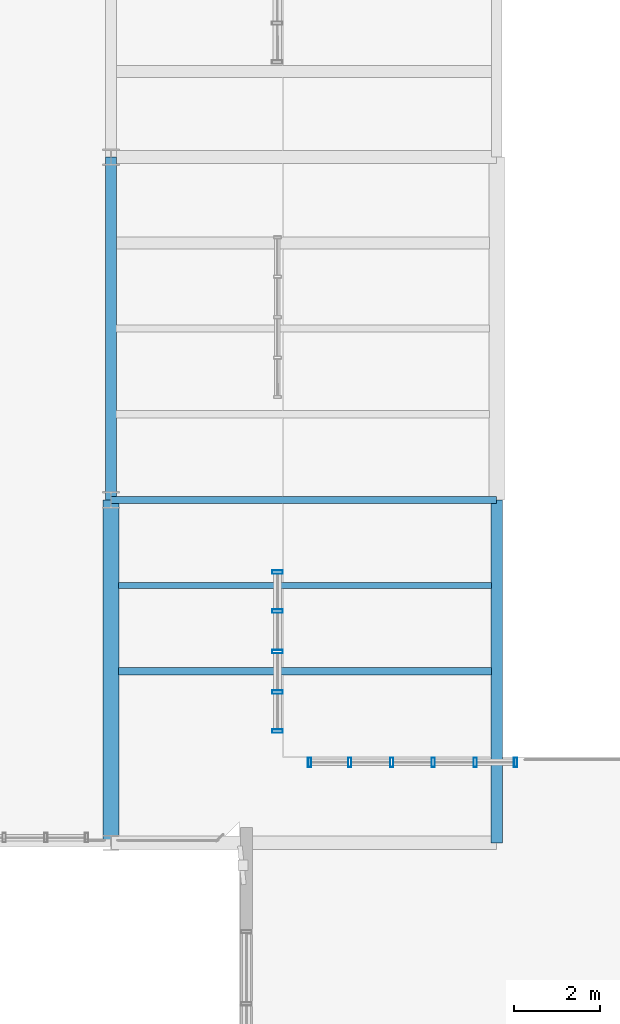
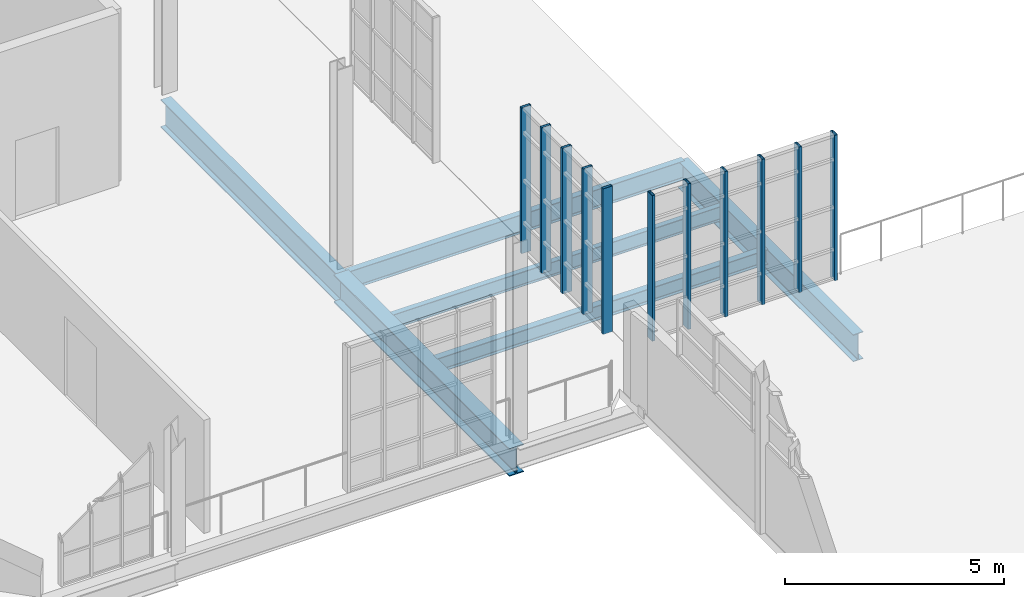
# One storey, part 17 of 36: 11 members, 6 beams, 2 elements without a shape of their own.
"""IFC4 building model written with IfcOpenShell, lengths in metres."""

import ifcopenshell
import ifcopenshell.guid

model = None  # the IFC model being written
_history = None  # IfcOwnerHistory: only IFC2X3 demands one
_inside = {}  # id of a spatial element -> (the spatial element, [elements in it])
_under = {}  # id of a project, library or spatial element -> (it, [spatial elements below it])
_declared = {}  # id of a project -> (the project, [libraries it declares])
_typed = {}  # id of a type object -> (the type object, [elements of that type])
_made_of = {}  # id of a material, layer set ... -> (it, [elements and type objects made of it])


def new_model(schema):
    """Start an empty IFC model of exactly this schema.

    Asked for "IFC4X3", IfcOpenShell would pick the latest addendum, in which some entities
    have other attributes; the version numbers below select the first issue.
    IFC2X3 requires an IfcOwnerHistory on every rooted entity: one is made here for all.
    """
    global model, _history
    if schema == "IFC4X3":
        model = ifcopenshell.file(schema_version=(4, 3, 0, 0))
    else:
        model = ifcopenshell.file(schema=schema)
    _inside.clear()
    _under.clear()
    _declared.clear()
    _typed.clear()
    _made_of.clear()
    _history = None
    if model.schema == "IFC2X3":
        org = make("IfcOrganization", Name="unknown")
        user = make(
            "IfcPersonAndOrganization",
            ThePerson=make("IfcPerson", FamilyName="unknown"),
            TheOrganization=org,
        )
        app = make(
            "IfcApplication",
            ApplicationDeveloper=org,
            Version="unknown",
            ApplicationFullName="unknown",
            ApplicationIdentifier="unknown",
        )
        _history = make(
            "IfcOwnerHistory",
            OwningUser=user,
            OwningApplication=app,
            ChangeAction="ADDED",
            CreationDate=0,
        )
    return model


def make(cls, **values):
    """One entity of the class cls with the attributes given. An attribute that is None is left unset."""
    return model.create_entity(
        cls, **{name: value for name, value in values.items() if value is not None}
    )


def rooted(cls, **values):
    """An entity with a GlobalId (a new one), such as an element, a storey or a relation."""
    return make(cls, GlobalId=ifcopenshell.guid.new(), OwnerHistory=_history, **values)


def si_unit(unit_type, name, prefix=None):
    """IfcSIUnit, for example si_unit("LENGTHUNIT", "METRE", prefix="MILLI")."""
    return make("IfcSIUnit", UnitType=unit_type, Prefix=prefix, Name=name)


def assignment(units):
    """IfcUnitAssignment: the units of a project."""
    return None if units is None else make("IfcUnitAssignment", Units=units)


def point(xyz):
    """IfcCartesianPoint."""
    return None if xyz is None else make("IfcCartesianPoint", Coordinates=xyz)


def direction(xyz):
    """IfcDirection."""
    return None if xyz is None else make("IfcDirection", DirectionRatios=xyz)


def frame(location, z_axis=None, x_axis=None):
    """IfcAxis2Placement3D, a coordinate frame: its origin and axes. An axis left out is left unset."""
    return make(
        "IfcAxis2Placement3D",
        Location=point(location),
        Axis=direction(z_axis),
        RefDirection=direction(x_axis),
    )


def frame_2d(location, x_axis=None):
    """IfcAxis2Placement2D, a coordinate frame in the plane: its origin and x axis."""
    return make(
        "IfcAxis2Placement2D", Location=point(location), RefDirection=direction(x_axis)
    )


def origin():
    """The frame at (0, 0, 0) with its axes left unset."""
    return frame((0.0, 0.0, 0.0))


def origin_2d():
    """The frame at (0, 0) in the plane with its x axis left unset."""
    return frame_2d((0.0, 0.0))


def place(relative_to, where):
    """IfcLocalPlacement: puts the frame where relative to a parent placement (None: the world)."""
    return make(
        "IfcLocalPlacement", PlacementRelTo=relative_to, RelativePlacement=where
    )


def context(
    kind, dimensions, precision=None, world=None, true_north=None, identifier=None
):
    """IfcGeometricRepresentationContext, for example the 3D "Model" context."""
    return make(
        "IfcGeometricRepresentationContext",
        ContextIdentifier=identifier,
        ContextType=kind,
        CoordinateSpaceDimension=dimensions,
        Precision=precision,
        WorldCoordinateSystem=world,
        TrueNorth=true_north,
    )


def subcontext(parent, identifier, kind, view, scale=None):
    """IfcGeometricRepresentationSubContext, for example "Body" below "Model"."""
    return make(
        "IfcGeometricRepresentationSubContext",
        ContextIdentifier=identifier,
        ContextType=kind,
        ParentContext=parent,
        TargetScale=scale,
        TargetView=view,
    )


def project(units=None, contexts=None):
    """IfcProject with its units and contexts."""
    return rooted(
        "IfcProject",
        Name="project",
        RepresentationContexts=contexts,
        UnitsInContext=assignment(units),
    )


def spatial(cls, under=None, at=None, **own):
    """A site, building, storey or space (cls), placed at a placement, below another one or the project."""
    s = rooted(cls, ObjectPlacement=at, **own)
    if under is not None:
        _under.setdefault(under.id(), (under, []))[1].append(s)
    return s


def profile(cls, at=None, kind="AREA", **sizes):
    """A parametric profile (cls). Its sizes go by their IFC names, for example OverallWidth=200.0."""
    return make(cls, ProfileType=kind, Position=at, **sizes)


def hollow_rectangle(**sizes):
    """IfcRectangleHollowProfileDef."""
    return profile("IfcRectangleHollowProfileDef", **sizes)


def i_section(**sizes):
    """IfcIShapeProfileDef."""
    return profile("IfcIShapeProfileDef", **sizes)


def extrude(swept, where, along, depth):
    """IfcExtrudedAreaSolid: the profile swept, set in the frame where, extruded along a direction by depth."""
    return make(
        "IfcExtrudedAreaSolid",
        SweptArea=swept,
        Position=where,
        ExtrudedDirection=direction(along),
        Depth=depth,
    )


def shape(context_of_items, identifier, shape_type, items):
    """IfcShapeRepresentation: the items that make up one representation, for example the "Body"."""
    return make(
        "IfcShapeRepresentation",
        ContextOfItems=context_of_items,
        RepresentationIdentifier=identifier,
        RepresentationType=shape_type,
        Items=items,
    )


def material(Name=None, Category=None):
    """IfcMaterial."""
    return make("IfcMaterial", Name=Name, Category=Category)


def layer(
    of_material, thickness, ventilated=None, Name=None, Category=None, Priority=None
):
    """IfcMaterialLayer: one layer of a wall or slab, of a material (None: an air gap)."""
    return make(
        "IfcMaterialLayer",
        Material=of_material,
        LayerThickness=thickness,
        IsVentilated=ventilated,
        Name=Name,
        Category=Category,
        Priority=Priority,
    )


def layer_set(layers, Name=None):
    """IfcMaterialLayerSet."""
    return make("IfcMaterialLayerSet", MaterialLayers=layers, LayerSetName=Name)


def material_profile(
    of_material, cross_section, Name=None, Category=None, Priority=None
):
    """IfcMaterialProfile: a cross section and its material."""
    return make(
        "IfcMaterialProfile",
        Name=Name,
        Material=of_material,
        Profile=cross_section,
        Priority=Priority,
        Category=Category,
    )


def profile_set(profiles, Name=None, composite=None):
    """IfcMaterialProfileSet."""
    return make(
        "IfcMaterialProfileSet",
        Name=Name,
        MaterialProfiles=profiles,
        CompositeProfile=composite,
    )


def made_of(thing, what):
    """Note that an element or type object is made of a material, layer set ...; save() writes the relation."""
    if what is not None:
        _made_of.setdefault(what.id(), (what, []))[1].append(thing)
    return thing


def type_object(cls, material=None, **own):
    """A type object (cls), such as IfcWallType, which elements share."""
    return made_of(rooted(cls, **own), material)


def element(
    cls,
    number,
    at=None,
    inside=None,
    cuts=None,
    type_object=None,
    material=None,
    context=None,
    identifier="Body",
    shape_type=None,
    held_by="IfcProductDefinitionShape",
    body=None,
    shapes=None,
    **own,
):
    """One element of the class cls, such as IfcWall. Its Tag is "e" and its number.

    at: its placement. inside: the storey or other place that contains it. cuts: it is an
    opening in that element (IfcRelVoidsElement). A single representation is given by context,
    identifier, shape_type and body (its items); several are given by shapes. held_by: the class
    of the entity that holds the representations. save() writes the other relations.
    """
    e = rooted(cls, Tag="e%d" % number, ObjectPlacement=at, **own)
    if body is not None:
        shapes = [shape(context, identifier, shape_type, body)]
    if shapes is not None:
        e.Representation = make(held_by, Representations=shapes)
    if inside is not None:
        _inside.setdefault(inside.id(), (inside, []))[1].append(e)
    if cuts is not None:
        rooted(
            "IfcRelVoidsElement", RelatingBuildingElement=cuts, RelatedOpeningElement=e
        )
    if type_object is not None:
        _typed.setdefault(type_object.id(), (type_object, []))[1].append(e)
    return made_of(e, material)


def aggregate(whole, parts):
    """IfcRelAggregates: a whole, such as a stair, and the parts it consists of."""
    return rooted("IfcRelAggregates", RelatingObject=whole, RelatedObjects=parts)


def save(model, path):
    """Write the relations noted so far, then the file.

    IfcRelAggregates (storeys below a building ...), IfcRelContainedInSpatialStructure (elements
    in a storey), IfcRelDefinesByType, IfcRelAssociatesMaterial and IfcRelDeclares: one each for
    every whole, place, type object, material and project.
    """
    for whole, parts in _under.values():
        aggregate(whole, parts)
    for where, things in _inside.values():
        rooted(
            "IfcRelContainedInSpatialStructure",
            RelatedElements=things,
            RelatingStructure=where,
        )
    for kind, things in _typed.values():
        rooted("IfcRelDefinesByType", RelatedObjects=things, RelatingType=kind)
    for what, things in _made_of.values():
        rooted("IfcRelAssociatesMaterial", RelatedObjects=things, RelatingMaterial=what)
    for by, libraries in _declared.values():
        rooted("IfcRelDeclares", RelatingContext=by, RelatedDefinitions=libraries)
    model.write(path)


model = new_model("IFC4")

# Units and contexts
model_context = context("Model", 3, precision=1e-05, world=origin(), true_north=direction((0.0, 1.0)))
body_context = subcontext(model_context, "Body", "Model", "MODEL_VIEW")
ifc_project = project(units=[si_unit("LENGTHUNIT", "METRE"), si_unit("AREAUNIT", "SQUARE_METRE"), si_unit("VOLUMEUNIT", "CUBIC_METRE"), si_unit("PLANEANGLEUNIT", "RADIAN"), si_unit("MASSUNIT", "GRAM", prefix="KILO"), si_unit("THERMODYNAMICTEMPERATUREUNIT", "KELVIN"), si_unit("POWERUNIT", "WATT")], contexts=[model_context])

# Site, building, storey
site_placement = place(None, origin())
site = spatial("IfcSite", under=ifc_project, at=site_placement, CompositionType="ELEMENT")
building_placement = place(site_placement, origin())
building = spatial("IfcBuilding", under=site, at=building_placement, Name="Zelmaris Science Centre", CompositionType="ELEMENT")
storey_placement = place(building_placement, frame((0.0, 0.0, 25.199951171875)))
storey = spatial("IfcBuildingStorey", under=building, at=storey_placement, Name="L05", CompositionType="ELEMENT", Elevation=25.199951171875)

# Curtain wall, members
ifc_material_1 = material(Name="Anodised architectural aluminium 6063-T6", Category="aluminium")
ifc_layer_1 = layer(ifc_material_1, 0.199951171875, Name="Anodised architectural aluminium 6063-T6")
ifc_layer_set_1 = layer_set([ifc_layer_1], Name="Anodised architectural aluminium 6063-T6")
curtain_wall_type_1 = type_object("IfcCurtainWallType", Name="Curtain Wall CW-02", PredefinedType="USERDEFINED", material=ifc_layer_set_1)
curtain_wall_1_placement = place(storey_placement, origin())
curtain_wall_1 = element("IfcCurtainWall", 1, at=curtain_wall_1_placement, inside=storey, type_object=curtain_wall_type_1, Name="L05 Unitised curtain wall 366", ObjectType="GLAZED CURTAIN WALL", PredefinedType="USERDEFINED")
ifc_material_profile_1 = material_profile(ifc_material_1, hollow_rectangle(XDim=0.074951171875, YDim=0.219970703125, WallThickness=0.0048828125, at=origin_2d()), Name="ALU-MUL-75X220")
ifc_profile_set_1 = profile_set([ifc_material_profile_1], Name="Anodised architectural aluminium 6063-T6")
member_type_1 = type_object("IfcMemberType", Name="ALU-MUL-75X220", PredefinedType="MULLION", material=ifc_profile_set_1)
member_1_placement = place(storey_placement, frame((76.633544921875, 65.8798828125, -0.014892578125), z_axis=(0.0, 0.0, 1.0), x_axis=(0.999999999976, -6.981317e-06, 0.0)))
member_1 = element("IfcMember", 2, at=member_1_placement, type_object=member_type_1, Name="CW-02 mullion 1", PredefinedType="MULLION", context=body_context, shape_type="SweptSolid", body=[
    extrude(hollow_rectangle(XDim=0.074951171875, YDim=0.219970703125, WallThickness=0.0048828125, at=origin_2d()), origin(), (0.0, 0.0, 1.0), 4.054931640625),
])
member_2_placement = place(storey_placement, frame((77.573974609375, 65.8798828125, -0.014892578125), z_axis=(0.0, 0.0, 1.0), x_axis=(0.999999999976, -6.981317e-06, 0.0)))
member_2 = element("IfcMember", 3, at=member_2_placement, type_object=member_type_1, Name="CW-02 mullion 2", PredefinedType="MULLION", context=body_context, shape_type="SweptSolid", body=[
    extrude(hollow_rectangle(XDim=0.074951171875, YDim=0.219970703125, WallThickness=0.0048828125, at=origin_2d()), origin(), (0.0, 0.0, 1.0), 4.054931640625),
])
member_3_placement = place(storey_placement, frame((78.548095703125, 65.8798828125, -0.014892578125), z_axis=(0.0, 0.0, 1.0), x_axis=(0.999999999976, -6.981317e-06, 0.0)))
member_3 = element("IfcMember", 4, at=member_3_placement, type_object=member_type_1, Name="CW-02 mullion 3", PredefinedType="MULLION", context=body_context, shape_type="SweptSolid", body=[
    extrude(hollow_rectangle(XDim=0.074951171875, YDim=0.219970703125, WallThickness=0.0048828125, at=origin_2d()), origin(), (0.0, 0.0, 1.0), 4.054931640625),
])
member_4_placement = place(storey_placement, frame((79.52197265625, 65.8798828125, -0.014892578125), z_axis=(0.0, 0.0, 1.0), x_axis=(0.999999999976, -6.981317e-06, 0.0)))
member_4 = element("IfcMember", 5, at=member_4_placement, type_object=member_type_1, Name="CW-02 mullion 4", PredefinedType="MULLION", context=body_context, shape_type="SweptSolid", body=[
    extrude(hollow_rectangle(XDim=0.074951171875, YDim=0.219970703125, WallThickness=0.0048828125, at=origin_2d()), origin(), (0.0, 0.0, 1.0), 4.054931640625),
])
member_5_placement = place(storey_placement, frame((80.49609375, 65.8798828125, -0.014892578125), z_axis=(0.0, 0.0, 1.0), x_axis=(0.999999999976, -6.981317e-06, 0.0)))
member_5 = element("IfcMember", 6, at=member_5_placement, type_object=member_type_1, Name="CW-02 mullion 5", PredefinedType="MULLION", context=body_context, shape_type="SweptSolid", body=[
    extrude(hollow_rectangle(XDim=0.074951171875, YDim=0.219970703125, WallThickness=0.0048828125, at=origin_2d()), origin(), (0.0, 0.0, 1.0), 4.054931640625),
])
member_6_placement = place(storey_placement, frame((81.4365234375, 65.8798828125, -0.014892578125), z_axis=(0.0, 0.0, 1.0), x_axis=(0.999999999976, -6.981317e-06, 0.0)))
member_6 = element("IfcMember", 7, at=member_6_placement, type_object=member_type_1, Name="CW-02 mullion 6", PredefinedType="MULLION", context=body_context, shape_type="SweptSolid", body=[
    extrude(hollow_rectangle(XDim=0.074951171875, YDim=0.219970703125, WallThickness=0.0048828125, at=origin_2d()), origin(), (0.0, 0.0, 1.0), 4.054931640625),
])
aggregate(curtain_wall_1, [member_1, member_2, member_3, member_4, member_5, member_6])

ifc_layer_2 = layer(ifc_material_1, 0.18994140625, Name="Anodised architectural aluminium 6063-T6")
ifc_layer_set_2 = layer_set([ifc_layer_2], Name="Anodised architectural aluminium 6063-T6")
curtain_wall_type_2 = type_object("IfcCurtainWallType", Name="Curtain Wall CW-01", PredefinedType="USERDEFINED", material=ifc_layer_set_2)
curtain_wall_2_placement = place(storey_placement, origin())
curtain_wall_2 = element("IfcCurtainWall", 8, at=curtain_wall_2_placement, inside=storey, type_object=curtain_wall_type_2, Name="L05 Unitised curtain wall 365", ObjectType="GLAZED CURTAIN WALL", PredefinedType="USERDEFINED")
ifc_material_profile_2 = material_profile(ifc_material_1, hollow_rectangle(XDim=0.080078125, YDim=0.25, WallThickness=0.0048828125, at=origin_2d()), Name="ALU-MUL-80X250")
ifc_profile_set_2 = profile_set([ifc_material_profile_2], Name="Anodised architectural aluminium 6063-T6")
member_type_2 = type_object("IfcMemberType", Name="ALU-MUL-80X250", PredefinedType="MULLION", material=ifc_profile_set_2)
member_7_placement = place(storey_placement, frame((75.885498046875, 70.317626953125, -0.014892578125), z_axis=(0.0, 0.0, 1.0), x_axis=(0.00039618973, -0.999999921517, 0.0)))
member_7 = element("IfcMember", 9, at=member_7_placement, type_object=member_type_2, Name="CW-01 mullion 1", PredefinedType="MULLION", context=body_context, shape_type="SweptSolid", body=[
    extrude(hollow_rectangle(XDim=0.080078125, YDim=0.25, WallThickness=0.0048828125, at=origin_2d()), origin(), (0.0, 0.0, 1.0), 4.054931640625),
])
member_8_placement = place(storey_placement, frame((75.8857421875, 69.408203125, -0.014892578125), z_axis=(0.0, 0.0, 1.0), x_axis=(0.00039618973, -0.999999921517, 0.0)))
member_8 = element("IfcMember", 10, at=member_8_placement, type_object=member_type_2, Name="CW-01 mullion 2", PredefinedType="MULLION", context=body_context, shape_type="SweptSolid", body=[
    extrude(hollow_rectangle(XDim=0.080078125, YDim=0.25, WallThickness=0.0048828125, at=origin_2d()), origin(), (0.0, 0.0, 1.0), 4.054931640625),
])
member_9_placement = place(storey_placement, frame((75.88623046875, 68.462646484375, -0.014892578125), z_axis=(0.0, 0.0, 1.0), x_axis=(0.00039618973, -0.999999921517, 0.0)))
member_9 = element("IfcMember", 11, at=member_9_placement, type_object=member_type_2, Name="CW-01 mullion 3", PredefinedType="MULLION", context=body_context, shape_type="SweptSolid", body=[
    extrude(hollow_rectangle(XDim=0.080078125, YDim=0.25, WallThickness=0.0048828125, at=origin_2d()), origin(), (0.0, 0.0, 1.0), 4.054931640625),
])
member_10_placement = place(storey_placement, frame((75.886474609375, 67.51708984375, -0.014892578125), z_axis=(0.0, 0.0, 1.0), x_axis=(0.00039618973, -0.999999921517, 0.0)))
member_10 = element("IfcMember", 12, at=member_10_placement, type_object=member_type_2, Name="CW-01 mullion 4", PredefinedType="MULLION", context=body_context, shape_type="SweptSolid", body=[
    extrude(hollow_rectangle(XDim=0.080078125, YDim=0.25, WallThickness=0.0048828125, at=origin_2d()), origin(), (0.0, 0.0, 1.0), 4.054931640625),
])
member_11_placement = place(storey_placement, frame((75.886962890625, 66.607666015625, -0.014892578125), z_axis=(0.0, 0.0, 1.0), x_axis=(0.00039618973, -0.999999921517, 0.0)))
member_11 = element("IfcMember", 13, at=member_11_placement, type_object=member_type_2, Name="CW-01 mullion 5", PredefinedType="MULLION", context=body_context, shape_type="SweptSolid", body=[
    extrude(hollow_rectangle(XDim=0.080078125, YDim=0.25, WallThickness=0.0048828125, at=origin_2d()), origin(), (0.0, 0.0, 1.0), 4.054931640625),
])
aggregate(curtain_wall_2, [member_7, member_8, member_9, member_10, member_11])

# Beams
ifc_material_2 = material(Name="Steel ASTM A992 Grade 50", Category="steel")
ifc_material_profile_3 = material_profile(ifc_material_2, i_section(OverallWidth=0.381103515625, OverallDepth=0.777099609375, WebThickness=0.01806640625, FlangeThickness=0.030029296875, FilletRadius=0.01904296875, at=origin_2d()), Name="W30X191")
ifc_profile_set_3 = profile_set([ifc_material_profile_3], Name="Steel ASTM A992 Grade 50")
beam_type_1 = type_object("IfcBeamType", Name="Beam G-31 W30X191", PredefinedType="BEAM", material=ifc_profile_set_3)
beam_1_placement = place(storey_placement, frame((72.0, 64.0, -0.638427734375), z_axis=(0.0, 1.0, 0.0), x_axis=(-1.0, 0.0, 0.0)))
element("IfcBeam", 14, at=beam_1_placement, inside=storey, type_object=beam_type_1, Name="L05 North-south girder 919", PredefinedType="BEAM", context=body_context, shape_type="SweptSolid", body=[
    extrude(i_section(OverallWidth=0.381103515625, OverallDepth=0.777099609375, WebThickness=0.01806640625, FlangeThickness=0.030029296875, FilletRadius=0.01904296875, at=origin_2d()), origin(), (0.0, 0.0, 1.0), 8.0),
])
ifc_material_profile_4 = material_profile(ifc_material_2, i_section(OverallWidth=0.26708984375, OverallDepth=0.780029296875, WebThickness=0.0166015625, FlangeThickness=0.030029296875, FilletRadius=0.01904296875, at=origin_2d()), Name="W30X148")
ifc_profile_set_4 = profile_set([ifc_material_profile_4], Name="Steel ASTM A992 Grade 50")
beam_type_2 = type_object("IfcBeamType", Name="Beam G-32 W30X148", PredefinedType="BEAM", material=ifc_profile_set_4)
beam_2_placement = place(storey_placement, frame((72.0, 72.0, -0.639892578125), z_axis=(0.0, 1.0, 0.0), x_axis=(-1.0, 0.0, 0.0)))
element("IfcBeam", 15, at=beam_2_placement, inside=storey, type_object=beam_type_2, Name="L05 North-south girder 920", PredefinedType="BEAM", context=body_context, shape_type="SweptSolid", body=[
    extrude(i_section(OverallWidth=0.26708984375, OverallDepth=0.780029296875, WebThickness=0.0166015625, FlangeThickness=0.030029296875, FilletRadius=0.01904296875, at=origin_2d()), origin(), (0.0, 0.0, 1.0), 8.0),
])
ifc_material_profile_5 = material_profile(ifc_material_2, i_section(OverallWidth=0.26708984375, OverallDepth=0.75390625, WebThickness=0.01318359375, FlangeThickness=0.01708984375, FilletRadius=0.01904296875, at=origin_2d()), Name="W30X99")
ifc_profile_set_5 = profile_set([ifc_material_profile_5], Name="Steel ASTM A992 Grade 50")
beam_type_3 = type_object("IfcBeamType", Name="Beam G-34 W30X99", PredefinedType="BEAM", material=ifc_profile_set_5)
beam_3_placement = place(storey_placement, frame((81.0, 64.0, -0.626953125), z_axis=(0.0, 1.0, 0.0), x_axis=(-1.0, 0.0, 0.0)))
element("IfcBeam", 16, at=beam_3_placement, inside=storey, type_object=beam_type_3, Name="L05 North-south girder 922", PredefinedType="BEAM", context=body_context, shape_type="SweptSolid", body=[
    extrude(i_section(OverallWidth=0.26708984375, OverallDepth=0.75390625, WebThickness=0.01318359375, FlangeThickness=0.01708984375, FilletRadius=0.01904296875, at=origin_2d()), origin(), (0.0, 0.0, 1.0), 8.0),
])
ifc_material_profile_6 = material_profile(ifc_material_2, i_section(OverallWidth=0.1650390625, OverallDepth=0.52587890625, WebThickness=0.0087890625, FlangeThickness=0.011474609375, FilletRadius=0.013916015625, at=origin_2d()), Name="W21X44")
ifc_profile_set_6 = profile_set([ifc_material_profile_6], Name="Steel ASTM A992 Grade 50")
beam_type_4 = type_object("IfcBeamType", Name="Beam G-40 W21X44", PredefinedType="BEAM", material=ifc_profile_set_6)
beam_4_placement = place(storey_placement, frame((72.0, 72.0, -0.512939453125), z_axis=(1.0, 0.0, 0.0), x_axis=(0.0, 1.0, 0.0)))
element("IfcBeam", 17, at=beam_4_placement, inside=storey, type_object=beam_type_4, Name="L05 East-west girder 928", PredefinedType="BEAM", context=body_context, shape_type="SweptSolid", body=[
    extrude(i_section(OverallWidth=0.1650390625, OverallDepth=0.52587890625, WebThickness=0.0087890625, FlangeThickness=0.011474609375, FilletRadius=0.013916015625, at=origin_2d()), origin(), (0.0, 0.0, 1.0), 9.0),
])
ifc_material_profile_7 = material_profile(ifc_material_2, i_section(OverallWidth=0.177978515625, OverallDepth=0.408935546875, WebThickness=0.0087890625, FlangeThickness=0.014404296875, FilletRadius=0.011962890625, at=origin_2d()), Name="W16X45")
ifc_profile_set_7 = profile_set([ifc_material_profile_7], Name="Steel ASTM A992 Grade 50")
beam_type_5 = type_object("IfcBeamType", Name="Beam J-07 W16X45", PredefinedType="JOIST", material=ifc_profile_set_7)
beam_5_placement = place(storey_placement, frame((72.175537109375, 68.0, -0.454345703125), z_axis=(1.0, 0.0, 0.0), x_axis=(0.0, 1.0, 0.0)))
element("IfcBeam", 18, at=beam_5_placement, inside=storey, type_object=beam_type_5, Name="L05 Composite floor joist 420", PredefinedType="JOIST", context=body_context, shape_type="SweptSolid", body=[
    extrude(i_section(OverallWidth=0.177978515625, OverallDepth=0.408935546875, WebThickness=0.0087890625, FlangeThickness=0.014404296875, FilletRadius=0.011962890625, at=origin_2d()), origin(), (0.0, 0.0, 1.0), 8.7060546875),
])
ifc_material_profile_8 = material_profile(ifc_material_2, i_section(OverallWidth=0.139892578125, OverallDepth=0.404052734375, WebThickness=0.007080078125, FlangeThickness=0.01123046875, FilletRadius=0.011962890625, at=origin_2d()), Name="W16X31")
ifc_profile_set_8 = profile_set([ifc_material_profile_8], Name="Steel ASTM A992 Grade 50")
beam_type_6 = type_object("IfcBeamType", Name="Beam J-08 W16X31", PredefinedType="JOIST", material=ifc_profile_set_8)
beam_6_placement = place(storey_placement, frame((72.175537109375, 70.0, -0.451904296875), z_axis=(1.0, 0.0, 0.0), x_axis=(0.0, 1.0, 0.0)))
element("IfcBeam", 19, at=beam_6_placement, inside=storey, type_object=beam_type_6, Name="L05 Composite floor joist 421", PredefinedType="JOIST", context=body_context, shape_type="SweptSolid", body=[
    extrude(i_section(OverallWidth=0.139892578125, OverallDepth=0.404052734375, WebThickness=0.007080078125, FlangeThickness=0.01123046875, FilletRadius=0.011962890625, at=origin_2d()), origin(), (0.0, 0.0, 1.0), 8.7060546875),
])

save(model, "model.ifc")
